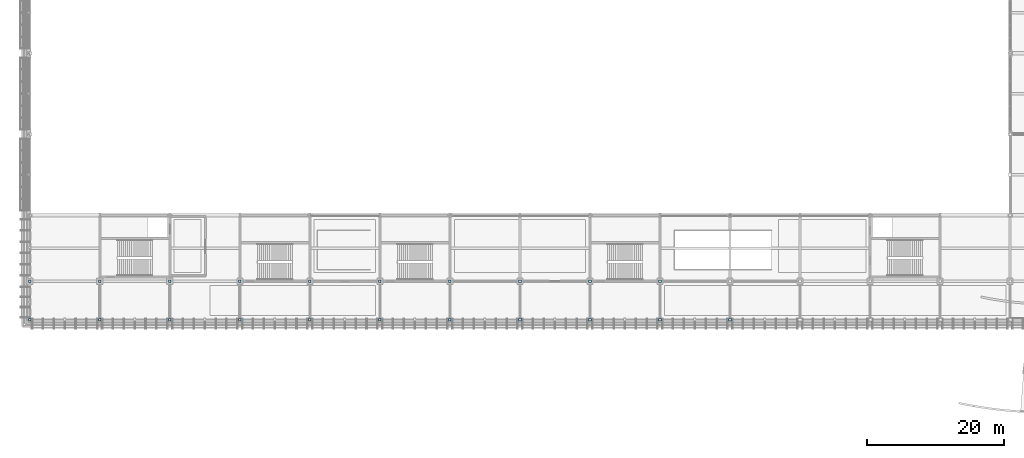
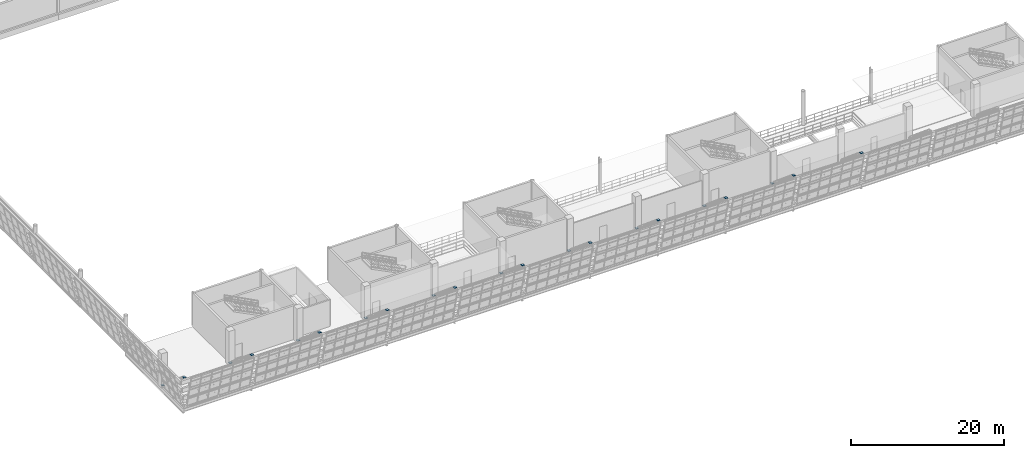
# One storey, part 124 of 175: 21 plates.
"""IFC4 building model written with IfcOpenShell, lengths in metres."""

from ifc_helpers import new_model, si_unit, direction, frame, origin, origin_2d, place, context, subcontext, project, spatial, rectangle, extrude, material, layer, layer_set, type_object, element, save


model = new_model("IFC4")

# Units and contexts
model_context = context("Model", 3, precision=1e-05, world=origin(), true_north=direction((0.0, 1.0)))
body_context = subcontext(model_context, "Body", "Model", "MODEL_VIEW")
ifc_project = project(units=[si_unit("LENGTHUNIT", "METRE"), si_unit("AREAUNIT", "SQUARE_METRE"), si_unit("VOLUMEUNIT", "CUBIC_METRE"), si_unit("PLANEANGLEUNIT", "RADIAN"), si_unit("MASSUNIT", "GRAM", prefix="KILO")], contexts=[model_context])

# Site, building, storey
site_placement = place(None, origin())
site = spatial("IfcSite", under=ifc_project, at=site_placement, CompositionType="ELEMENT")
building_placement = place(site_placement, origin())
building = spatial("IfcBuilding", under=site, at=building_placement, Name="Brelvane Convention Centre", CompositionType="ELEMENT")
storey_placement = place(building_placement, frame((0.0, 0.0, 5.39990234375)))
storey = spatial("IfcBuildingStorey", under=building, at=storey_placement, Name="L01", CompositionType="ELEMENT", Elevation=5.39990234375)

# Plates
ifc_material = material(Name="Steel E450 (450 MPa)", Category="steel")
ifc_layer = layer(ifc_material, 0.02490234375)
ifc_layer_set = layer_set([ifc_layer], Name="Steel E450 (450 MPa)")
plate_type = type_object("IfcPlateType", Name="Steel Node Gusset Plate ND-3", PredefinedType="SHEET", material=ifc_layer_set)
for number, where, z_axis, x_axis, name in (
    (1, (0.0, 19.199951171875, 0.03759765625), (0.0, 0.0, 1.0), (1.0, 0.0, 0.0), "Raked Strut Node V1-L01-1-bot"),
    (2, (0.0, 13.60009765625, 4.707763671875), (0.0, 0.0, 1.0), (1.0, 0.0, 0.0), "Raked Strut Node V1-L01-1-top"),
    (3, (10.199951171875, 19.199951171875, 0.03759765625), (0.0, 0.0, 1.0), (1.0, 0.0, 0.0), "Raked Strut Node V1-L01-2-bot"),
    (4, (10.199951171875, 13.60009765625, 4.707763671875), (0.0, 0.0, 1.0), (1.0, 0.0, 0.0), "Raked Strut Node V1-L01-2-top"),
    (5, (20.39990234375, 19.199951171875, 0.03759765625), (0.0, 0.0, 1.0), (1.0, 0.0, 0.0), "Raked Strut Node V1-L01-3-bot"),
    (6, (20.39990234375, 13.60009765625, 4.707763671875), (0.0, 0.0, 1.0), (1.0, 0.0, 0.0), "Raked Strut Node V1-L01-3-top"),
    (7, (30.60009765625, 19.199951171875, 0.03759765625), (0.0, 0.0, 1.0), (1.0, 0.0, 0.0), "Raked Strut Node V1-L01-4-bot"),
    (8, (30.60009765625, 13.60009765625, 4.707763671875), (0.0, 0.0, 1.0), (1.0, 0.0, 0.0), "Raked Strut Node V1-L01-4-top"),
    (9, (40.800048828125, 19.199951171875, 0.03759765625), (0.0, 0.0, 1.0), (1.0, 0.0, 0.0), "Raked Strut Node V1-L01-5-bot"),
    (10, (40.800048828125, 13.60009765625, 4.707763671875), (0.0, 0.0, 1.0), (1.0, 0.0, 0.0), "Raked Strut Node V1-L01-5-top"),
    (11, (51.0, 19.199951171875, 0.03759765625), (0.0, 0.0, 1.0), (1.0, 0.0, 0.0), "Raked Strut Node V1-L01-6-bot"),
    (12, (51.0, 13.60009765625, 4.707763671875), (0.0, 0.0, 1.0), (1.0, 0.0, 0.0), "Raked Strut Node V1-L01-6-top"),
    (13, (61.199951171875, 19.199951171875, 0.03759765625), (0.0, 0.0, 1.0), (1.0, 0.0, 0.0), "Raked Strut Node V1-L01-7-bot"),
    (14, (61.199951171875, 13.60009765625, 4.707763671875), (0.0, 0.0, 1.0), (1.0, 0.0, 0.0), "Raked Strut Node V1-L01-7-top"),
    (15, (71.39990234375, 19.199951171875, 0.03759765625), (0.0, 0.0, 1.0), (1.0, 0.0, 0.0), "Raked Strut Node V1-L01-8-bot"),
    (16, (71.39990234375, 13.60009765625, 4.707763671875), (0.0, 0.0, 1.0), (1.0, 0.0, 0.0), "Raked Strut Node V1-L01-8-top"),
    (17, (81.60009765625, 19.199951171875, 0.03759765625), (0.0, 0.0, 1.0), (1.0, 0.0, 0.0), "Raked Strut Node V1-L01-9-bot"),
    (18, (81.60009765625, 13.60009765625, 4.707763671875), (0.0, 0.0, 1.0), (1.0, 0.0, 0.0), "Raked Strut Node V1-L01-9-top"),
    (19, (91.800048828125, 19.199951171875, 0.03759765625), (0.0, 0.0, 1.0), (1.0, 0.0, 0.0), "Raked Strut Node V1-L01-10-bot"),
    (20, (91.800048828125, 13.60009765625, 4.707763671875), (0.0, 0.0, 1.0), (1.0, 0.0, 0.0), "Raked Strut Node V1-L01-10-top"),
    (21, (102.0, 13.60009765625, 4.707763671875), (0.0, 0.0, 1.0), (1.0, 0.0, 0.0), "Raked Strut Node V1-L01-11-top"),
):
    element("IfcPlate", number, at=place(storey_placement, frame(where, z_axis=z_axis, x_axis=x_axis)), inside=storey, type_object=plate_type, Name=name, PredefinedType="SHEET", context=body_context, shape_type="SweptSolid", body=[
        extrude(rectangle(XDim=0.3798828125, YDim=0.3798828125, at=origin_2d()), origin(), (0.0, 0.0, 1.0), 0.02490234375),
    ])

save(model, "model.ifc")
